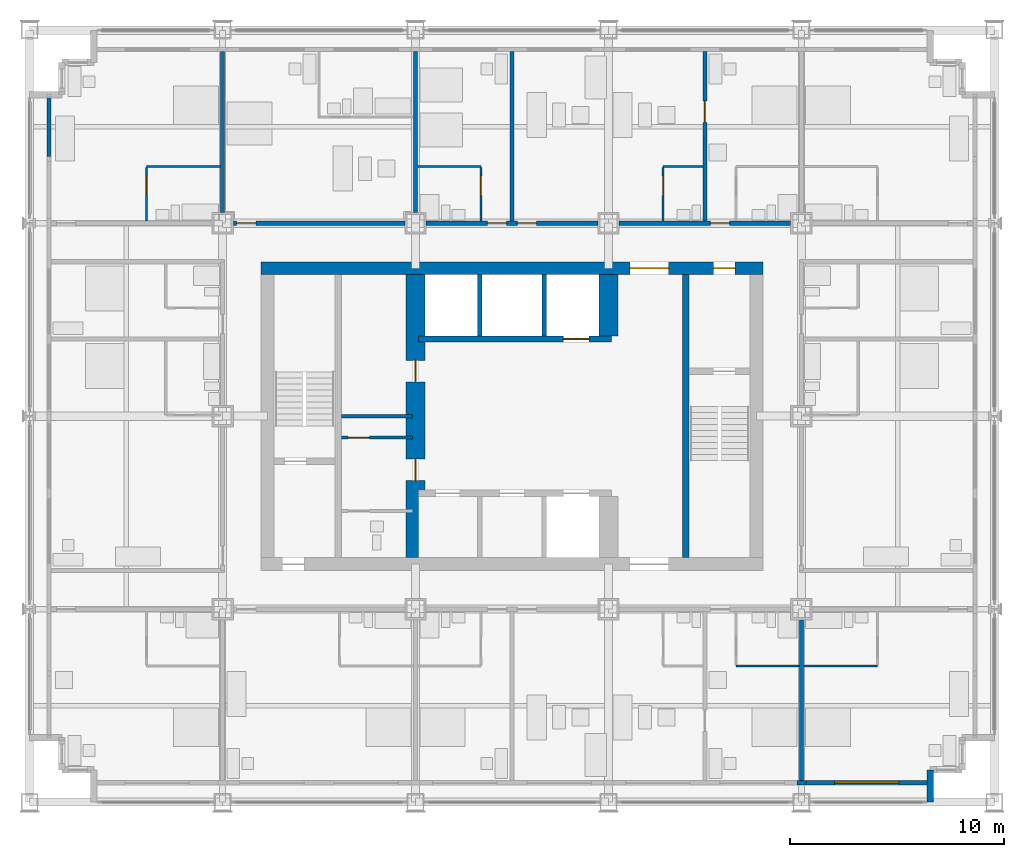
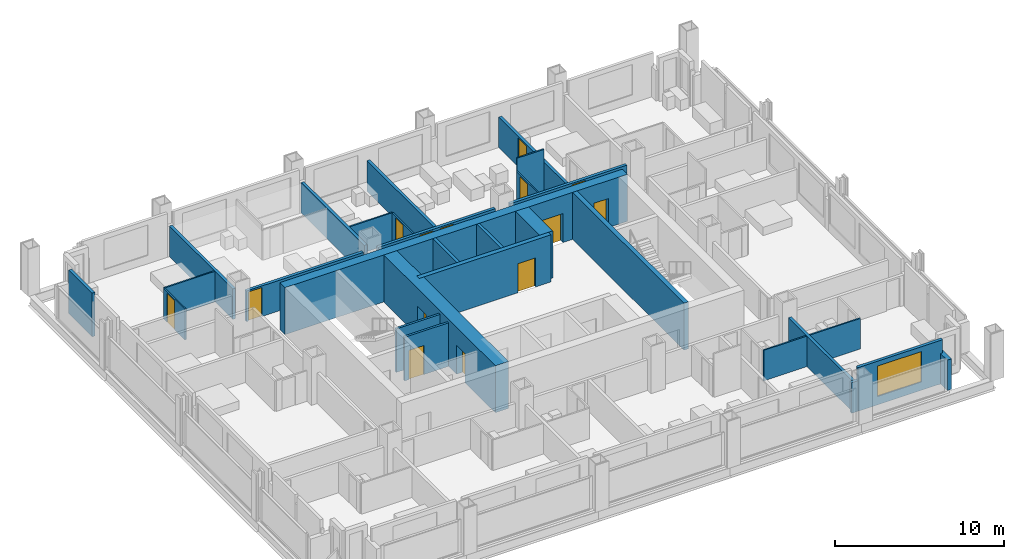
# One storey, part 11 of 17: 29 walls, 14 doors, 1 window, 15 openings.
"""IFC4 building model written with IfcOpenShell, lengths in metres."""

from ifc_helpers import new_model, si_unit, direction, frame, frame_2d, origin, place, context, subcontext, project, spatial, rectangle, extrude, material, layer, layer_set, type_object, element, fill, save


model = new_model("IFC4")

# Units and contexts
model_context = context("Model", 3, precision=1e-05, world=origin(), true_north=direction((0.0, 1.0)))
body_context = subcontext(model_context, "Body", "Model", "MODEL_VIEW")
ifc_project = project(units=[si_unit("LENGTHUNIT", "METRE"), si_unit("AREAUNIT", "SQUARE_METRE"), si_unit("VOLUMEUNIT", "CUBIC_METRE"), si_unit("PLANEANGLEUNIT", "RADIAN"), si_unit("MASSUNIT", "GRAM", prefix="KILO")], contexts=[model_context])

# Site, building, storey
site_placement = place(None, origin())
site = spatial("IfcSite", under=ifc_project, at=site_placement, CompositionType="ELEMENT")
building_placement = place(site_placement, origin())
building = spatial("IfcBuilding", under=site, at=building_placement, Name="Loomwork Tower", CompositionType="ELEMENT")
storey_placement = place(building_placement, frame((0.0, 0.0, 152.0)))
storey = spatial("IfcBuildingStorey", under=building, at=storey_placement, Name="L41", CompositionType="ELEMENT", Elevation=152.0)

# Wall, opening, door
ifc_material_1 = material(Name="Concrete 14000 psi (97 MPa)", Category="concrete")
ifc_layer_1 = layer(ifc_material_1, 0.300048828125)
ifc_layer_set_1 = layer_set([ifc_layer_1], Name="Core shear wall 300")
wall_type_1 = type_object("IfcWallType", Name="Core shear wall 300", PredefinedType="SHEAR", material=ifc_layer_set_1)
wall_1_placement = place(storey_placement, frame((18.14990234375, 21.60009765625, 0.0), z_axis=(0.0, 0.0, 1.0), x_axis=(1.0, 0.0, 0.0)))
wall_1 = element("IfcWall", 1, at=wall_1_placement, inside=storey, type_object=wall_type_1, Name="Lift front wall north L41", PredefinedType="SHEAR", context=body_context, shape_type="SweptSolid", body=[
    extrude(rectangle(XDim=9.0, YDim=0.300048828125, at=frame_2d((4.5, 0.0))), origin(), (0.0, 0.0, 1.0), 3.39990234375),
])
opening_1_placement = place(wall_1_placement, frame((6.75, 0.0, 0.0)))
opening_1 = element("IfcOpeningElement", 2, at=opening_1_placement, cuts=wall_1, Name="Opening LD2", PredefinedType="OPENING", context=body_context, shape_type="SweptSolid", body=[
    extrude(rectangle(XDim=1.199951171875, YDim=2.10009765625, at=frame_2d((0.60009765625, 1.050048828125))), frame((0.0, 0.159912109375, 0.0), z_axis=(0.0, -1.0, 0.0), x_axis=(1.0, 0.0, 0.0)), (0.0, 0.0, 1.0), 0.320068359375),
])
ifc_material_2 = material(Name="Hollow metal door and frame")
door_type_1 = type_object("IfcDoorType", Name="Lift landing door 1200", OperationType="SLIDING_TO_LEFT", PredefinedType="DOOR", material=ifc_material_2)
door_1_placement = place(opening_1_placement, origin())
door_1 = element("IfcDoor", 3, at=door_1_placement, inside=storey, type_object=door_type_1, Name="Lift landing door LF2", OperationType="SLIDING_TO_LEFT", OverallHeight=2.10009765625, OverallWidth=1.199951171875, PredefinedType="DOOR", context=body_context, shape_type="SweptSolid", body=[
    extrude(rectangle(XDim=1.199951171875, YDim=2.10009765625, at=frame_2d((0.60009765625, 1.050048828125))), frame((0.0, 0.02490234375, 0.0), z_axis=(0.0, -1.0, 0.0), x_axis=(1.0, 0.0, 0.0)), (0.0, 0.0, 1.0), 0.050048828125),
])
fill(opening_1, door_1)

# Wall
wall_2_placement = place(storey_placement, frame((30.60009765625, 11.39990234375, 0.0), z_axis=(0.0, 0.0, 1.0), x_axis=(0.0, 1.0, 0.0)))
element("IfcWall", 4, at=wall_2_placement, inside=storey, type_object=wall_type_1, Name="Stair B west wall L41", PredefinedType="SHEAR", context=body_context, shape_type="SweptSolid", body=[
    extrude(rectangle(XDim=13.2001953125, YDim=0.300048828125, at=frame_2d((6.60009765625, 0.0))), origin(), (0.0, 0.0, 1.0), 3.39990234375),
])

# Wall, openings, doors
ifc_material_3 = material(Name="Concrete 14000 psi (97 MPa)", Category="concrete")
ifc_layer_2 = layer(ifc_material_3, 0.60009765625)
ifc_layer_set_2 = layer_set([ifc_layer_2], Name="Core shear wall 600")
wall_type_2 = type_object("IfcWallType", Name="Core shear wall 600", PredefinedType="SHEAR", material=ifc_layer_set_2)
wall_3_placement = place(storey_placement, frame((10.800048828125, 24.89990234375, 0.0), z_axis=(0.0, 0.0, 1.0), x_axis=(1.0, 0.0, 0.0)))
wall_3 = element("IfcWall", 5, at=wall_3_placement, inside=storey, type_object=wall_type_2, Name="Core wall north L41", PredefinedType="SHEAR", context=body_context, shape_type="SweptSolid", body=[
    extrude(rectangle(XDim=23.39990234375, YDim=0.60009765625, at=frame_2d((11.699951171875, 0.0))), origin(), (0.0, 0.0, 1.0), 3.39990234375),
])
opening_2_placement = place(wall_3_placement, frame((17.199951171875, 0.0, 0.0)))
opening_2 = element("IfcOpeningElement", 6, at=opening_2_placement, cuts=wall_3, Name="Opening D6", PredefinedType="OPENING", context=body_context, shape_type="SweptSolid", body=[
    extrude(rectangle(XDim=1.800048828125, YDim=2.10009765625, at=frame_2d((0.89990234375, 1.050048828125))), frame((0.0, 0.31005859375, 0.0), z_axis=(0.0, -1.0, 0.0), x_axis=(1.0, 0.0, 0.0)), (0.0, 0.0, 1.0), 0.6201171875),
])
opening_3_placement = place(wall_3_placement, frame((21.10009765625, 0.0, 0.0)))
opening_3 = element("IfcOpeningElement", 7, at=opening_3_placement, cuts=wall_3, Name="Opening D4", PredefinedType="OPENING", context=body_context, shape_type="SweptSolid", body=[
    extrude(rectangle(XDim=1.0, YDim=2.10009765625, at=frame_2d((0.5, 1.050048828125))), frame((0.0, 0.31005859375, 0.0), z_axis=(0.0, -1.0, 0.0), x_axis=(1.0, 0.0, 0.0)), (0.0, 0.0, 1.0), 0.6201171875),
])
ifc_material_4 = material(Name="Hollow metal door and frame")
door_type_2 = type_object("IfcDoorType", Name="Lobby passage double door 1800", OperationType="DOUBLE_DOOR_SINGLE_SWING", PredefinedType="DOOR", material=ifc_material_4)
door_2_placement = place(opening_2_placement, frame((1.800048828125, 0.0, 0.0), z_axis=(0.0, 0.0, 1.0), x_axis=(-1.0, 0.0, 0.0)))
door_2 = element("IfcDoor", 8, at=door_2_placement, inside=storey, type_object=door_type_2, Name="Lobby passage door north", OperationType="DOUBLE_DOOR_SINGLE_SWING", OverallHeight=2.10009765625, OverallWidth=1.800048828125, PredefinedType="DOOR", context=body_context, shape_type="SweptSolid", body=[
    extrude(rectangle(XDim=1.800048828125, YDim=2.10009765625, at=frame_2d((0.89990234375, 1.050048828125))), frame((0.0, 0.02490234375, 0.0), z_axis=(0.0, -1.0, 0.0), x_axis=(1.0, 0.0, 0.0)), (0.0, 0.0, 1.0), 0.050048828125),
])
fill(opening_2, door_2)
ifc_material_5 = material(Name="Hollow metal door and frame")
door_type_3 = type_object("IfcDoorType", Name="Stair door 1000", OperationType="SINGLE_SWING_RIGHT", PredefinedType="DOOR", material=ifc_material_5)
door_3_placement = place(opening_3_placement, frame((1.0, 0.0, 0.0), z_axis=(0.0, 0.0, 1.0), x_axis=(-1.0, 0.0, 0.0)))
door_3 = element("IfcDoor", 9, at=door_3_placement, inside=storey, type_object=door_type_3, Name="Stair B vestibule door", OperationType="SINGLE_SWING_LEFT", OverallHeight=2.10009765625, OverallWidth=1.0, PredefinedType="DOOR", context=body_context, shape_type="SweptSolid", body=[
    extrude(rectangle(XDim=1.0, YDim=2.10009765625, at=frame_2d((0.5, 1.050048828125))), frame((0.0, 0.02490234375, 0.0), z_axis=(0.0, -1.0, 0.0), x_axis=(1.0, 0.0, 0.0)), (0.0, 0.0, 1.0), 0.050048828125),
])
fill(opening_3, door_3)

ifc_material_6 = material(Name="Concrete 14000 psi (97 MPa)", Category="concrete")
ifc_layer_3 = layer(ifc_material_6, 0.89990234375)
ifc_layer_set_3 = layer_set([ifc_layer_3], Name="Core shear wall 900")
wall_type_3 = type_object("IfcWallType", Name="Core shear wall 900", PredefinedType="SHEAR", material=ifc_layer_set_3)
wall_4_placement = place(storey_placement, frame((18.0, 11.39990234375, 0.0), z_axis=(0.0, 0.0, 1.0), x_axis=(0.0, 1.0, 0.0)))
wall_4 = element("IfcWall", 10, at=wall_4_placement, inside=storey, type_object=wall_type_3, Name="Lobby west wall L41", PredefinedType="SHEAR", context=body_context, shape_type="SweptSolid", body=[
    extrude(rectangle(XDim=13.2001953125, YDim=0.89990234375, at=frame_2d((6.60009765625, 0.0))), origin(), (0.0, 0.0, 1.0), 3.39990234375),
])
opening_4_placement = place(wall_4_placement, frame((3.60009765625, 0.0, 0.0)))
opening_4 = element("IfcOpeningElement", 11, at=opening_4_placement, cuts=wall_4, Name="Opening D5", PredefinedType="OPENING", context=body_context, shape_type="SweptSolid", body=[
    extrude(rectangle(XDim=1.0, YDim=2.10009765625, at=frame_2d((0.5, 1.050048828125))), frame((0.0, 0.4599609375, 0.0), z_axis=(0.0, -1.0, 0.0), x_axis=(1.0, 0.0, 0.0)), (0.0, 0.0, 1.0), 0.919921875),
])
opening_5_placement = place(wall_4_placement, frame((8.199951171875, 0.0, 0.0)))
opening_5 = element("IfcOpeningElement", 12, at=opening_5_placement, cuts=wall_4, Name="Opening D5", PredefinedType="OPENING", context=body_context, shape_type="SweptSolid", body=[
    extrude(rectangle(XDim=1.0, YDim=2.10009765625, at=frame_2d((0.5, 1.050048828125))), frame((0.0, 0.4599609375, 0.0), z_axis=(0.0, -1.0, 0.0), x_axis=(1.0, 0.0, 0.0)), (0.0, 0.0, 1.0), 0.919921875),
])
ifc_material_7 = material(Name="Hollow metal door and frame")
door_type_4 = type_object("IfcDoorType", Name="Service door 1000", OperationType="SINGLE_SWING_LEFT", PredefinedType="DOOR", material=ifc_material_7)
door_4_placement = place(opening_4_placement, origin())
door_4 = element("IfcDoor", 13, at=door_4_placement, inside=storey, type_object=door_type_4, Name="Back-of-house door south", OperationType="SINGLE_SWING_LEFT", OverallHeight=2.10009765625, OverallWidth=1.0, PredefinedType="DOOR", context=body_context, shape_type="SweptSolid", body=[
    extrude(rectangle(XDim=1.0, YDim=2.10009765625, at=frame_2d((0.5, 1.050048828125))), frame((0.0, 0.02490234375, 0.0), z_axis=(0.0, -1.0, 0.0), x_axis=(1.0, 0.0, 0.0)), (0.0, 0.0, 1.0), 0.050048828125),
])
fill(opening_4, door_4)
door_5_placement = place(opening_5_placement, origin())
door_5 = element("IfcDoor", 14, at=door_5_placement, inside=storey, type_object=door_type_4, Name="Back-of-house door north", OperationType="SINGLE_SWING_RIGHT", OverallHeight=2.10009765625, OverallWidth=1.0, PredefinedType="DOOR", context=body_context, shape_type="SweptSolid", body=[
    extrude(rectangle(XDim=1.0, YDim=2.10009765625, at=frame_2d((0.5, 1.050048828125))), frame((0.0, 0.02490234375, 0.0), z_axis=(0.0, -1.0, 0.0), x_axis=(1.0, 0.0, 0.0)), (0.0, 0.0, 1.0), 0.050048828125),
])
fill(opening_5, door_5)

# Wall
wall_5_placement = place(storey_placement, frame((27.0, 21.75, 0.0), z_axis=(0.0, 0.0, 1.0), x_axis=(0.0, 1.0, 0.0)))
element("IfcWall", 15, at=wall_5_placement, inside=storey, type_object=wall_type_3, Name="Lift shaft end wall north L41", PredefinedType="SHEAR", context=body_context, shape_type="SweptSolid", body=[
    extrude(rectangle(XDim=2.85009765625, YDim=0.89990234375, at=frame_2d((1.425048828125, 0.0))), origin(), (0.0, 0.0, 1.0), 3.39990234375),
])

# Wall, opening, door
ifc_material_8 = material(Name="Gypsum board on steel studs, one-hour", Category="steel")
ifc_layer_4 = layer(ifc_material_8, 0.199951171875)
ifc_layer_set_4 = layer_set([ifc_layer_4], Name="Corridor wall 200")
wall_type_4 = type_object("IfcWallType", Name="Corridor wall 200", PredefinedType="PARTITIONING", material=ifc_layer_set_4)
wall_6_placement = place(storey_placement, frame((9.5, 27.0, 0.0), z_axis=(0.0, 0.0, 1.0), x_axis=(1.0, 0.0, 0.0)))
wall_6 = element("IfcWall", 16, at=wall_6_placement, inside=storey, type_object=wall_type_4, Name="North corridor wall 2", PredefinedType="PARTITIONING", context=body_context, shape_type="SweptSolid", body=[
    extrude(rectangle(XDim=8.0, YDim=0.199951171875, at=frame_2d((4.0, 0.0))), origin(), (0.0, 0.0, 1.0), 2.210205078125),
])
opening_6_placement = place(wall_6_placement, frame((0.14990234375, 0.0, 0.0)))
opening_6 = element("IfcOpeningElement", 17, at=opening_6_placement, cuts=wall_6, Name="Opening D1", PredefinedType="OPENING", context=body_context, shape_type="SweptSolid", body=[
    extrude(rectangle(XDim=0.89990234375, YDim=2.10009765625, at=frame_2d((0.449951171875, 1.050048828125))), frame((0.0, 0.10986328125, 0.0), z_axis=(0.0, -1.0, 0.0), x_axis=(1.0, 0.0, 0.0)), (0.0, 0.0, 1.0), 0.219970703125),
])
ifc_material_9 = material(Name="Hollow metal door and frame")
door_type_5 = type_object("IfcDoorType", Name="Guest room entry door 900", OperationType="SINGLE_SWING_LEFT", PredefinedType="DOOR", material=ifc_material_9)
door_6_placement = place(opening_6_placement, origin())
door_6 = element("IfcDoor", 18, at=door_6_placement, inside=storey, type_object=door_type_5, Name="Guest room entry door L41 8", OperationType="SINGLE_SWING_LEFT", OverallHeight=2.10009765625, OverallWidth=0.89990234375, PredefinedType="DOOR", context=body_context, shape_type="SweptSolid", body=[
    extrude(rectangle(XDim=0.89990234375, YDim=2.10009765625, at=frame_2d((0.449951171875, 1.050048828125))), frame((0.0, 0.02490234375, 0.0), z_axis=(0.0, -1.0, 0.0), x_axis=(1.0, 0.0, 0.0)), (0.0, 0.0, 1.0), 0.050048828125),
])
fill(opening_6, door_6)

# Wall, openings, doors
wall_7_placement = place(storey_placement, frame((18.5, 27.0, 0.0), z_axis=(0.0, 0.0, 1.0), x_axis=(1.0, 0.0, 0.0)))
wall_7 = element("IfcWall", 19, at=wall_7_placement, inside=storey, type_object=wall_type_4, Name="North corridor wall 3", PredefinedType="PARTITIONING", context=body_context, shape_type="SweptSolid", body=[
    extrude(rectangle(XDim=8.0, YDim=0.199951171875, at=frame_2d((4.0, 0.0))), origin(), (0.0, 0.0, 1.0), 2.210205078125),
])
opening_7_placement = place(wall_7_placement, frame((2.85009765625, 0.0, 0.0)))
opening_7 = element("IfcOpeningElement", 20, at=opening_7_placement, cuts=wall_7, Name="Opening D1", PredefinedType="OPENING", context=body_context, shape_type="SweptSolid", body=[
    extrude(rectangle(XDim=0.89990234375, YDim=2.10009765625, at=frame_2d((0.449951171875, 1.050048828125))), frame((0.0, 0.10986328125, 0.0), z_axis=(0.0, -1.0, 0.0), x_axis=(1.0, 0.0, 0.0)), (0.0, 0.0, 1.0), 0.219970703125),
])
opening_8_placement = place(wall_7_placement, frame((4.25, 0.0, 0.0)))
opening_8 = element("IfcOpeningElement", 21, at=opening_8_placement, cuts=wall_7, Name="Opening D1", PredefinedType="OPENING", context=body_context, shape_type="SweptSolid", body=[
    extrude(rectangle(XDim=0.89990234375, YDim=2.10009765625, at=frame_2d((0.449951171875, 1.050048828125))), frame((0.0, 0.10986328125, 0.0), z_axis=(0.0, -1.0, 0.0), x_axis=(1.0, 0.0, 0.0)), (0.0, 0.0, 1.0), 0.219970703125),
])
door_7_placement = place(opening_7_placement, origin())
door_7 = element("IfcDoor", 22, at=door_7_placement, inside=storey, type_object=door_type_5, Name="Guest room entry door L41 9", OperationType="SINGLE_SWING_RIGHT", OverallHeight=2.10009765625, OverallWidth=0.89990234375, PredefinedType="DOOR", context=body_context, shape_type="SweptSolid", body=[
    extrude(rectangle(XDim=0.89990234375, YDim=2.10009765625, at=frame_2d((0.449951171875, 1.050048828125))), frame((0.0, 0.02490234375, 0.0), z_axis=(0.0, -1.0, 0.0), x_axis=(1.0, 0.0, 0.0)), (0.0, 0.0, 1.0), 0.050048828125),
])
fill(opening_7, door_7)
door_8_placement = place(opening_8_placement, origin())
door_8 = element("IfcDoor", 23, at=door_8_placement, inside=storey, type_object=door_type_5, Name="Guest room entry door L41 10", OperationType="SINGLE_SWING_LEFT", OverallHeight=2.10009765625, OverallWidth=0.89990234375, PredefinedType="DOOR", context=body_context, shape_type="SweptSolid", body=[
    extrude(rectangle(XDim=0.89990234375, YDim=2.10009765625, at=frame_2d((0.449951171875, 1.050048828125))), frame((0.0, 0.02490234375, 0.0), z_axis=(0.0, -1.0, 0.0), x_axis=(1.0, 0.0, 0.0)), (0.0, 0.0, 1.0), 0.050048828125),
])
fill(opening_8, door_8)

# Wall, opening, door
wall_8_placement = place(storey_placement, frame((27.5, 27.0, 0.0), z_axis=(0.0, 0.0, 1.0), x_axis=(1.0, 0.0, 0.0)))
wall_8 = element("IfcWall", 24, at=wall_8_placement, inside=storey, type_object=wall_type_4, Name="North corridor wall 4", PredefinedType="PARTITIONING", context=body_context, shape_type="SweptSolid", body=[
    extrude(rectangle(XDim=8.0, YDim=0.199951171875, at=frame_2d((4.0, 0.0))), origin(), (0.0, 0.0, 1.0), 2.210205078125),
])
opening_9_placement = place(wall_8_placement, frame((4.25, 0.0, 0.0)))
opening_9 = element("IfcOpeningElement", 25, at=opening_9_placement, cuts=wall_8, Name="Opening D1", PredefinedType="OPENING", context=body_context, shape_type="SweptSolid", body=[
    extrude(rectangle(XDim=0.89990234375, YDim=2.10009765625, at=frame_2d((0.449951171875, 1.050048828125))), frame((0.0, 0.10986328125, 0.0), z_axis=(0.0, -1.0, 0.0), x_axis=(1.0, 0.0, 0.0)), (0.0, 0.0, 1.0), 0.219970703125),
])
door_9_placement = place(opening_9_placement, origin())
door_9 = element("IfcDoor", 26, at=door_9_placement, inside=storey, type_object=door_type_5, Name="Guest room entry door L41 11", OperationType="SINGLE_SWING_LEFT", OverallHeight=2.10009765625, OverallWidth=0.89990234375, PredefinedType="DOOR", context=body_context, shape_type="SweptSolid", body=[
    extrude(rectangle(XDim=0.89990234375, YDim=2.10009765625, at=frame_2d((0.449951171875, 1.050048828125))), frame((0.0, 0.02490234375, 0.0), z_axis=(0.0, -1.0, 0.0), x_axis=(1.0, 0.0, 0.0)), (0.0, 0.0, 1.0), 0.050048828125),
])
fill(opening_9, door_9)

# Walls
ifc_material_10 = material(Name="Cement board on steel studs", Category="steel")
ifc_layer_5 = layer(ifc_material_10, 0.10009765625)
ifc_layer_set_5 = layer_set([ifc_layer_5], Name="En-suite partition 100")
wall_type_5 = type_object("IfcWallType", Name="En-suite partition 100", PredefinedType="PARTITIONING", material=ifc_layer_set_5)
wall_9_placement = place(storey_placement, frame((32.949951171875, 6.35009765625, 0.0), z_axis=(0.0, 0.0, 1.0), x_axis=(1.0, 0.0, 0.0)))
element("IfcWall", 27, at=wall_9_placement, inside=storey, type_object=wall_type_5, Name="En-suite wall L41 room 5", PredefinedType="PARTITIONING", context=body_context, shape_type="SweptSolid", body=[
    extrude(rectangle(XDim=2.949951171875, YDim=0.10009765625, at=frame_2d((1.47509765625, 0.0))), origin(), (0.0, 0.0, 1.0), 2.2099609375),
])
for number, where, z_axis, x_axis, name in (
    (28, (36.10009765625, 6.35009765625, 0.0), (0.0, 0.0, 1.0), (1.0, 0.0, 0.0), "En-suite wall L41 room 6"),
    (29, (5.449951171875, 29.64990234375, 0.0), (0.0, 0.0, 1.0), (1.0, 0.0, 0.0), "En-suite wall L41 room 7"),
):
    element("IfcWall", number, at=place(storey_placement, frame(where, z_axis=z_axis, x_axis=x_axis)), inside=storey, type_object=wall_type_5, Name=name, PredefinedType="PARTITIONING", context=body_context, shape_type="SweptSolid", body=[
        extrude(rectangle(XDim=3.449951171875, YDim=0.10009765625, at=frame_2d((1.72509765625, 0.0))), origin(), (0.0, 0.0, 1.0), 2.2099609375),
    ])

# Wall, opening, door
wall_10_placement = place(storey_placement, frame((5.449951171875, 27.10009765625, 0.0), z_axis=(0.0, 0.0, 1.0), x_axis=(0.0, 1.0, 0.0)))
wall_10 = element("IfcWall", 30, at=wall_10_placement, inside=storey, type_object=wall_type_5, Name="En-suite side wall L41 room 7", PredefinedType="PARTITIONING", context=body_context, shape_type="SweptSolid", body=[
    extrude(rectangle(XDim=2.5, YDim=0.10009765625, at=frame_2d((1.25, 0.0))), origin(), (0.0, 0.0, 1.0), 2.2099609375),
])
opening_10_placement = place(wall_10_placement, frame((1.199951171875, 0.0, 0.0)))
opening_10 = element("IfcOpeningElement", 31, at=opening_10_placement, cuts=wall_10, Name="Opening D2", PredefinedType="OPENING", context=body_context, shape_type="SweptSolid", body=[
    extrude(rectangle(XDim=0.89990234375, YDim=2.10009765625, at=frame_2d((0.449951171875, 1.050048828125))), frame((0.0, 0.06005859375, 0.0), z_axis=(0.0, -1.0, 0.0), x_axis=(1.0, 0.0, 0.0)), (0.0, 0.0, 1.0), 0.1201171875),
])
ifc_material_11 = material(Name="Hollow metal door and frame")
door_type_6 = type_object("IfcDoorType", Name="En-suite door 900", OperationType="SINGLE_SWING_LEFT", PredefinedType="DOOR", material=ifc_material_11)
door_10_placement = place(opening_10_placement, frame((0.89990234375, 0.0, 0.0), z_axis=(0.0, 0.0, 1.0), x_axis=(-1.0, 0.0, 0.0)))
door_10 = element("IfcDoor", 32, at=door_10_placement, inside=storey, type_object=door_type_6, Name="En-suite door room 7", OperationType="SINGLE_SWING_LEFT", OverallHeight=2.10009765625, OverallWidth=0.89990234375, PredefinedType="DOOR", context=body_context, shape_type="SweptSolid", body=[
    extrude(rectangle(XDim=0.89990234375, YDim=2.10009765625, at=frame_2d((0.449951171875, 1.050048828125))), frame((0.0, 0.02490234375, 0.0), z_axis=(0.0, -1.0, 0.0), x_axis=(1.0, 0.0, 0.0)), (0.0, 0.0, 1.0), 0.050048828125),
])
fill(opening_10, door_10)

# Wall
wall_11_placement = place(storey_placement, frame((18.10009765625, 29.64990234375, 0.0), z_axis=(0.0, 0.0, 1.0), x_axis=(1.0, 0.0, 0.0)))
element("IfcWall", 33, at=wall_11_placement, inside=storey, type_object=wall_type_5, Name="En-suite wall L41 room 9", PredefinedType="PARTITIONING", context=body_context, shape_type="SweptSolid", body=[
    extrude(rectangle(XDim=2.949951171875, YDim=0.10009765625, at=frame_2d((1.47509765625, 0.0))), origin(), (0.0, 0.0, 1.0), 2.201904296875),
])

# Wall, opening, door
wall_12_placement = place(storey_placement, frame((21.050048828125, 27.10009765625, 0.0), z_axis=(0.0, 0.0, 1.0), x_axis=(0.0, 1.0, 0.0)))
wall_12 = element("IfcWall", 34, at=wall_12_placement, inside=storey, type_object=wall_type_5, Name="En-suite side wall L41 room 9", PredefinedType="PARTITIONING", context=body_context, shape_type="SweptSolid", body=[
    extrude(rectangle(XDim=2.5, YDim=0.10009765625, at=frame_2d((1.25, 0.0))), origin(), (0.0, 0.0, 1.0), 2.2099609375),
])
opening_11_placement = place(wall_12_placement, frame((1.199951171875, 0.0, 0.0)))
opening_11 = element("IfcOpeningElement", 35, at=opening_11_placement, cuts=wall_12, Name="Opening D2", PredefinedType="OPENING", context=body_context, shape_type="SweptSolid", body=[
    extrude(rectangle(XDim=0.89990234375, YDim=2.10009765625, at=frame_2d((0.449951171875, 1.050048828125))), frame((0.0, 0.06005859375, 0.0), z_axis=(0.0, -1.0, 0.0), x_axis=(1.0, 0.0, 0.0)), (0.0, 0.0, 1.0), 0.1201171875),
])
door_11_placement = place(opening_11_placement, origin())
door_11 = element("IfcDoor", 36, at=door_11_placement, inside=storey, type_object=door_type_6, Name="En-suite door room 9", OperationType="SINGLE_SWING_RIGHT", OverallHeight=2.10009765625, OverallWidth=0.89990234375, PredefinedType="DOOR", context=body_context, shape_type="SweptSolid", body=[
    extrude(rectangle(XDim=0.89990234375, YDim=2.10009765625, at=frame_2d((0.449951171875, 1.050048828125))), frame((0.0, 0.02490234375, 0.0), z_axis=(0.0, -1.0, 0.0), x_axis=(1.0, 0.0, 0.0)), (0.0, 0.0, 1.0), 0.050048828125),
])
fill(opening_11, door_11)

# Wall
wall_13_placement = place(storey_placement, frame((29.550048828125, 29.64990234375, 0.0), z_axis=(0.0, 0.0, 1.0), x_axis=(1.0, 0.0, 0.0)))
element("IfcWall", 37, at=wall_13_placement, inside=storey, type_object=wall_type_5, Name="En-suite wall L41 room 10", PredefinedType="PARTITIONING", context=body_context, shape_type="SweptSolid", body=[
    extrude(rectangle(XDim=1.849853515625, YDim=0.10009765625, at=frame_2d((0.9248046875, 0.0))), origin(), (0.0, 0.0, 1.0), 3.14990234375),
])

# Wall, opening, door
wall_14_placement = place(storey_placement, frame((29.550048828125, 27.10009765625, 0.0), z_axis=(0.0, 0.0, 1.0), x_axis=(0.0, 1.0, 0.0)))
wall_14 = element("IfcWall", 38, at=wall_14_placement, inside=storey, type_object=wall_type_5, Name="En-suite side wall L41 room 10", PredefinedType="PARTITIONING", context=body_context, shape_type="SweptSolid", body=[
    extrude(rectangle(XDim=2.5, YDim=0.10009765625, at=frame_2d((1.25, 0.0))), origin(), (0.0, 0.0, 1.0), 2.2099609375),
])
opening_12_placement = place(wall_14_placement, frame((1.199951171875, 0.0, 0.0)))
opening_12 = element("IfcOpeningElement", 39, at=opening_12_placement, cuts=wall_14, Name="Opening D2", PredefinedType="OPENING", context=body_context, shape_type="SweptSolid", body=[
    extrude(rectangle(XDim=0.89990234375, YDim=2.10009765625, at=frame_2d((0.449951171875, 1.050048828125))), frame((0.0, 0.06005859375, 0.0), z_axis=(0.0, -1.0, 0.0), x_axis=(1.0, 0.0, 0.0)), (0.0, 0.0, 1.0), 0.1201171875),
])
door_12_placement = place(opening_12_placement, frame((0.89990234375, 0.0, 0.0), z_axis=(0.0, 0.0, 1.0), x_axis=(-1.0, 0.0, 0.0)))
door_12 = element("IfcDoor", 40, at=door_12_placement, inside=storey, type_object=door_type_6, Name="Suite powder room door room 10", OperationType="SINGLE_SWING_LEFT", OverallHeight=2.10009765625, OverallWidth=0.89990234375, PredefinedType="DOOR", context=body_context, shape_type="SweptSolid", body=[
    extrude(rectangle(XDim=0.89990234375, YDim=2.10009765625, at=frame_2d((0.449951171875, 1.050048828125))), frame((0.0, 0.02490234375, 0.0), z_axis=(0.0, -1.0, 0.0), x_axis=(1.0, 0.0, 0.0)), (0.0, 0.0, 1.0), 0.050048828125),
])
fill(opening_12, door_12)

# Walls
ifc_material_12 = material(Name="Gypsum board on steel studs, acoustic", Category="steel")
ifc_layer_6 = layer(ifc_material_12, 0.199951171875)
ifc_layer_set_6 = layer_set([ifc_layer_6], Name="Guest room party wall 200")
wall_type_6 = type_object("IfcWallType", Name="Guest room party wall 200", PredefinedType="PARTITIONING", material=ifc_layer_set_6)
for number, where, z_axis, x_axis, name in (
    (41, (36.0, 8.5, 0.0), (0.0, 0.0, 1.0), (0.0, -1.0, 0.0), "Guest room party wall S 36"),
    (42, (9.0, 27.5, 0.0), (0.0, 0.0, 1.0), (0.0, 1.0, 0.0), "Guest room party wall N 9"),
):
    element("IfcWall", number, at=place(storey_placement, frame(where, z_axis=z_axis, x_axis=x_axis)), inside=storey, type_object=wall_type_6, Name=name, PredefinedType="PARTITIONING", context=body_context, shape_type="SweptSolid", body=[
        extrude(rectangle(XDim=7.5, YDim=0.199951171875, at=frame_2d((3.75, 0.0))), origin(), (0.0, 0.0, 1.0), 2.210205078125),
    ])
wall_15_placement = place(storey_placement, frame((18.0, 27.5, 0.0), z_axis=(0.0, 0.0, 1.0), x_axis=(0.0, 1.0, 0.0)))
element("IfcWall", 43, at=wall_15_placement, inside=storey, type_object=wall_type_6, Name="Guest room party wall N 18", PredefinedType="PARTITIONING", context=body_context, shape_type="SweptSolid", body=[
    extrude(rectangle(XDim=7.5, YDim=0.199951171875, at=frame_2d((3.75, 0.0))), origin(), (0.0, 0.0, 1.0), 2.20263671875),
])
wall_16_placement = place(storey_placement, frame((22.5, 27.10009765625, 0.0), z_axis=(0.0, 0.0, 1.0), x_axis=(0.0, 1.0, 0.0)))
element("IfcWall", 44, at=wall_16_placement, inside=storey, type_object=wall_type_6, Name="Guest room party wall N 22.5", PredefinedType="PARTITIONING", context=body_context, shape_type="SweptSolid", body=[
    extrude(rectangle(XDim=7.89990234375, YDim=0.199951171875, at=frame_2d((3.949951171875, 0.0))), origin(), (0.0, 0.0, 1.0), 2.2099609375),
])

# Wall, opening, door
wall_17_placement = place(storey_placement, frame((31.5, 27.10009765625, 0.0), z_axis=(0.0, 0.0, 1.0), x_axis=(0.0, 1.0, 0.0)))
wall_17 = element("IfcWall", 45, at=wall_17_placement, inside=storey, type_object=wall_type_6, Name="Guest room party wall N 31.5", PredefinedType="PARTITIONING", context=body_context, shape_type="SweptSolid", body=[
    extrude(rectangle(XDim=7.89990234375, YDim=0.199951171875, at=frame_2d((3.949951171875, 0.0))), origin(), (0.0, 0.0, 1.0), 2.2099609375),
])
opening_13_placement = place(wall_17_placement, frame((4.60009765625, 0.0, 0.0)))
opening_13 = element("IfcOpeningElement", 46, at=opening_13_placement, cuts=wall_17, Name="Opening D7", PredefinedType="OPENING", context=body_context, shape_type="SweptSolid", body=[
    extrude(rectangle(XDim=1.0, YDim=2.10009765625, at=frame_2d((0.5, 1.050048828125))), frame((0.0, 0.10986328125, 0.0), z_axis=(0.0, -1.0, 0.0), x_axis=(1.0, 0.0, 0.0)), (0.0, 0.0, 1.0), 0.219970703125),
])
ifc_material_13 = material(Name="Hollow metal door and frame")
door_type_7 = type_object("IfcDoorType", Name="Room door 1000", OperationType="SINGLE_SWING_LEFT", PredefinedType="DOOR", material=ifc_material_13)
door_13_placement = place(opening_13_placement, frame((1.0, 0.0, 0.0), z_axis=(0.0, 0.0, 1.0), x_axis=(-1.0, 0.0, 0.0)))
door_13 = element("IfcDoor", 47, at=door_13_placement, inside=storey, type_object=door_type_7, Name="Suite connecting door L41 N 31.5", OperationType="SINGLE_SWING_RIGHT", OverallHeight=2.10009765625, OverallWidth=1.0, PredefinedType="DOOR", context=body_context, shape_type="SweptSolid", body=[
    extrude(rectangle(XDim=1.0, YDim=2.10009765625, at=frame_2d((0.5, 1.050048828125))), frame((0.0, 0.02490234375, 0.0), z_axis=(0.0, -1.0, 0.0), x_axis=(1.0, 0.0, 0.0)), (0.0, 0.0, 1.0), 0.050048828125),
])
fill(opening_13, door_13)

# Wall
ifc_material_14 = material(Name="Insulated steel stud wall with gypsum lining", Category="steel")
ifc_layer_7 = layer(ifc_material_14, 0.199951171875)
ifc_layer_set_7 = layer_set([ifc_layer_7], Name="Inner skin wall 200")
wall_type_7 = type_object("IfcWallType", Name="Inner skin wall 200", PredefinedType="SOLIDWALL", material=ifc_layer_set_7)
wall_18_placement = place(storey_placement, frame((35.78466796875, 0.89990234375, 0.0), z_axis=(0.0, 0.0, 1.0), x_axis=(1.0, 0.0, 0.0)))
element("IfcWall", 48, at=wall_18_placement, inside=storey, type_object=wall_type_7, Name="Inner skin wall S bay 8", PredefinedType="SOLIDWALL", context=body_context, shape_type="SweptSolid", body=[
    extrude(rectangle(XDim=0.4306640625, YDim=0.199951171875, at=frame_2d((0.21533203125, 0.0))), origin(), (0.0, 0.0, 1.0), 2.2099609375),
])

# Wall, opening, window
wall_19_placement = place(storey_placement, frame((36.21533203125, 0.89990234375, 0.0), z_axis=(0.0, 0.0, 1.0), x_axis=(1.0, 0.0, 0.0)))
wall_19 = element("IfcWall", 49, at=wall_19_placement, inside=storey, type_object=wall_type_7, Name="Inner skin wall S bay 9", PredefinedType="SOLIDWALL", context=body_context, shape_type="SweptSolid", body=[
    extrude(rectangle(XDim=5.78466796875, YDim=0.199951171875, at=frame_2d((2.892333984375, 0.0))), origin(), (0.0, 0.0, 1.0), 3.14990234375),
])
opening_14_placement = place(wall_19_placement, frame((1.334716796875, 0.0, 0.60009765625)))
opening_14 = element("IfcOpeningElement", 50, at=opening_14_placement, cuts=wall_19, Name="Opening CH1", PredefinedType="OPENING", context=body_context, shape_type="SweptSolid", body=[
    extrude(rectangle(XDim=3.0, YDim=2.199951171875, at=frame_2d((1.5, 1.10009765625))), frame((0.0, 0.10986328125, 0.0), z_axis=(0.0, -1.0, 0.0), x_axis=(1.0, 0.0, 0.0)), (0.0, 0.0, 1.0), 0.219970703125),
])
ifc_material_15 = material(Name="Aluminium frame with clear insulated glass", Category="aluminium")
window_type = type_object("IfcWindowType", Name="Chicago window 3000", PartitioningType="TRIPLE_PANEL_VERTICAL", PredefinedType="WINDOW", material=ifc_material_15)
window_placement = place(opening_14_placement, origin())
window = element("IfcWindow", 51, at=window_placement, inside=storey, type_object=window_type, Name="Chicago window L41 bay 5", OverallHeight=2.199951171875, OverallWidth=3.0, PartitioningType="TRIPLE_PANEL_VERTICAL", PredefinedType="WINDOW", context=body_context, shape_type="SweptSolid", body=[
    extrude(rectangle(XDim=3.0, YDim=2.199951171875, at=frame_2d((1.5, 1.10009765625))), frame((0.0, 0.030029296875, 0.0), z_axis=(0.0, -1.0, 0.0), x_axis=(1.0, 0.0, 0.0)), (0.0, 0.0, 1.0), 0.06005859375),
])
fill(opening_14, window)

# Walls
wall_20_placement = place(storey_placement, frame((0.89990234375, 30.1162109375, 0.0), z_axis=(0.0, 0.0, 1.0), x_axis=(0.0, 1.0, 0.0)))
element("IfcWall", 52, at=wall_20_placement, inside=storey, type_object=wall_type_7, Name="Inner skin wall W bay 12", PredefinedType="SOLIDWALL", context=body_context, shape_type="SweptSolid", body=[
    extrude(rectangle(XDim=2.767578125, YDim=0.199951171875, at=frame_2d((1.3837890625, 0.0))), origin(), (0.0, 0.0, 1.0), 3.14990234375),
])
ifc_material_16 = material(Name="Concrete 14000 psi (97 MPa)", Category="concrete")
ifc_layer_8 = layer(ifc_material_16, 0.199951171875)
ifc_layer_set_8 = layer_set([ifc_layer_8], Name="Lift shaft wall 200")
wall_type_8 = type_object("IfcWallType", Name="Lift shaft wall 200", PredefinedType="SHEAR", material=ifc_layer_set_8)
for number, where, z_axis, x_axis, name in (
    (53, (21.0, 21.75, 0.0), (0.0, 0.0, 1.0), (0.0, 1.0, 0.0), "Lift shaft separation wall north 1 L41"),
    (54, (24.0, 21.75, 0.0), (0.0, 0.0, 1.0), (0.0, 1.0, 0.0), "Lift shaft separation wall north 2 L41"),
):
    element("IfcWall", number, at=place(storey_placement, frame(where, z_axis=z_axis, x_axis=x_axis)), inside=storey, type_object=wall_type_8, Name=name, PredefinedType="SHEAR", context=body_context, shape_type="SweptSolid", body=[
        extrude(rectangle(XDim=2.85009765625, YDim=0.199951171875, at=frame_2d((1.425048828125, 0.0))), origin(), (0.0, 0.0, 1.0), 3.39990234375),
    ])
ifc_material_17 = material(Name="Limestone on concrete masonry", Category="masonry")
ifc_layer_9 = layer(ifc_material_17, 0.300048828125)
ifc_layer_set_9 = layer_set([ifc_layer_9], Name="Limestone corner wall 300")
wall_type_9 = type_object("IfcWallType", Name="Limestone corner wall 300", PredefinedType="SOLIDWALL", material=ifc_layer_set_9)
wall_21_placement = place(storey_placement, frame((42.0, 0.0, 0.0), z_axis=(0.0, 0.0, 1.0), x_axis=(0.0, 1.0, 0.0)))
element("IfcWall", 55, at=wall_21_placement, inside=storey, type_object=wall_type_9, Name="Stone corner wall SE 1", PredefinedType="SOLIDWALL", context=body_context, shape_type="SweptSolid", body=[
    extrude(rectangle(XDim=1.5, YDim=0.300048828125, at=frame_2d((0.75, 0.0))), origin(), (0.0, 0.0, 1.0), 2.201904296875),
])
ifc_material_18 = material(Name="Gypsum board on steel studs", Category="steel")
ifc_layer_10 = layer(ifc_material_18, 0.14990234375)
ifc_layer_set_10 = layer_set([ifc_layer_10], Name="Partition 150 two-hour")
wall_type_10 = type_object("IfcWallType", Name="Partition 150 two-hour", PredefinedType="PARTITIONING", material=ifc_layer_set_10)
wall_22_placement = place(storey_placement, frame((14.550048828125, 18.0, 0.0), z_axis=(0.0, 0.0, 1.0), x_axis=(1.0, 0.0, 0.0)))
element("IfcWall", 56, at=wall_22_placement, inside=storey, type_object=wall_type_10, Name="Back-of-house dividing wall L41", PredefinedType="PARTITIONING", context=body_context, shape_type="SweptSolid", body=[
    extrude(rectangle(XDim=3.300048828125, YDim=0.14990234375, at=frame_2d((1.64990234375, 0.0))), origin(), (0.0, 0.0, 1.0), 3.14990234375),
])

# Wall, opening, door
ifc_material_19 = material(Name="Gypsum board on steel studs, one-hour", Category="steel")
ifc_layer_11 = layer(ifc_material_19, 0.14990234375)
ifc_layer_set_11 = layer_set([ifc_layer_11], Name="Service partition 150")
wall_type_11 = type_object("IfcWallType", Name="Service partition 150", PredefinedType="PARTITIONING", material=ifc_layer_set_11)
wall_23_placement = place(storey_placement, frame((14.550048828125, 17.0, 0.0), z_axis=(0.0, 0.0, 1.0), x_axis=(1.0, 0.0, 0.0)))
wall_23 = element("IfcWall", 57, at=wall_23_placement, inside=storey, type_object=wall_type_11, Name="Riser enclosure L41", PredefinedType="PARTITIONING", context=body_context, shape_type="SweptSolid", body=[
    extrude(rectangle(XDim=3.300048828125, YDim=0.14990234375, at=frame_2d((1.64990234375, 0.0))), origin(), (0.0, 0.0, 1.0), 3.14990234375),
])
opening_15_placement = place(wall_23_placement, frame((0.300048828125, 0.0, 0.0)))
opening_15 = element("IfcOpeningElement", 58, at=opening_15_placement, cuts=wall_23, Name="Opening D18", PredefinedType="OPENING", context=body_context, shape_type="SweptSolid", body=[
    extrude(rectangle(XDim=1.0, YDim=2.10009765625, at=frame_2d((0.5, 1.050048828125))), frame((0.0, 0.0849609375, 0.0), z_axis=(0.0, -1.0, 0.0), x_axis=(1.0, 0.0, 0.0)), (0.0, 0.0, 1.0), 0.169921875),
])
ifc_material_20 = material(Name="Hollow metal door and frame")
door_type_8 = type_object("IfcDoorType", Name="Ninety-minute service door 1000", OperationType="SINGLE_SWING_LEFT", PredefinedType="DOOR", material=ifc_material_20)
door_14_placement = place(opening_15_placement, frame((1.0, 0.0, 0.0), z_axis=(0.0, 0.0, 1.0), x_axis=(-1.0, 0.0, 0.0)))
door_14 = element("IfcDoor", 59, at=door_14_placement, inside=storey, type_object=door_type_8, Name="Riser access door", OperationType="SINGLE_SWING_RIGHT", OverallHeight=2.10009765625, OverallWidth=1.0, PredefinedType="DOOR", context=body_context, shape_type="SweptSolid", body=[
    extrude(rectangle(XDim=1.0, YDim=2.10009765625, at=frame_2d((0.5, 1.050048828125))), frame((0.0, 0.02490234375, 0.0), z_axis=(0.0, -1.0, 0.0), x_axis=(1.0, 0.0, 0.0)), (0.0, 0.0, 1.0), 0.050048828125),
])
fill(opening_15, door_14)

save(model, "model.ifc")
